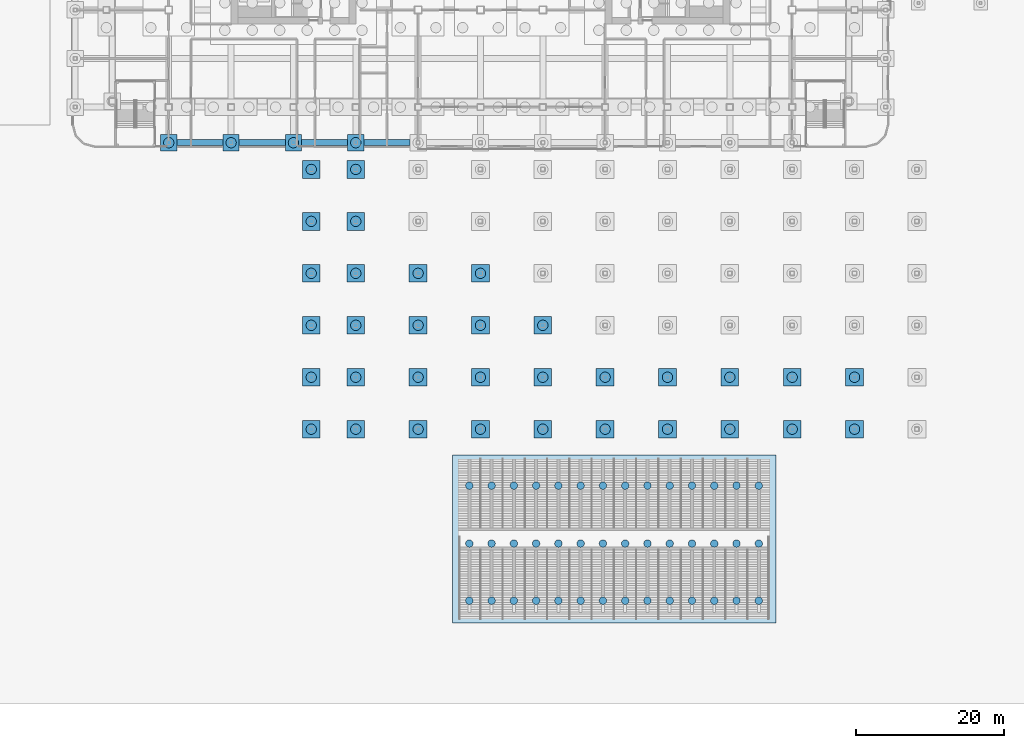
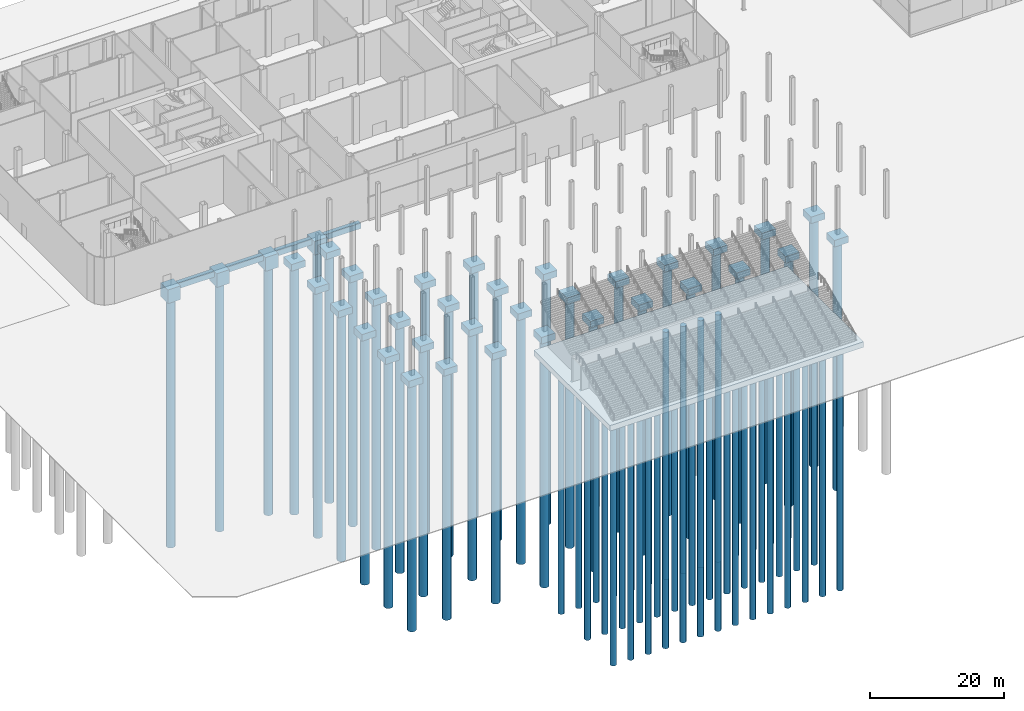
# One storey, part 1 of 113: 79 piles, 42 footings.
"""IFC4 building model written with IfcOpenShell, lengths in metres."""

from ifc_helpers import new_model, si_unit, direction, frame, origin, origin_2d, place, context, subcontext, project, spatial, polyline, circle, outline, extrude, material, layer, layer_set, material_profile, profile_set, type_object, element, save


model = new_model("IFC4")

# Units and contexts
model_context = context("Model", 3, precision=1e-05, world=origin(), true_north=direction((0.0, 1.0)))
body_context = subcontext(model_context, "Body", "Model", "MODEL_VIEW")
ifc_project = project(units=[si_unit("LENGTHUNIT", "METRE"), si_unit("AREAUNIT", "SQUARE_METRE"), si_unit("VOLUMEUNIT", "CUBIC_METRE"), si_unit("PLANEANGLEUNIT", "RADIAN"), si_unit("MASSUNIT", "GRAM", prefix="KILO")], contexts=[model_context])

# Site, building, storey
site_placement = place(None, origin())
site = spatial("IfcSite", under=ifc_project, at=site_placement, CompositionType="ELEMENT")
building_placement = place(site_placement, origin())
building = spatial("IfcBuilding", under=site, at=building_placement, Name="Hakoniwa Tower and Hamabe Station Hall", CompositionType="ELEMENT")
storey_placement = place(building_placement, origin())
storey = spatial("IfcBuildingStorey", under=building, at=storey_placement, Name="L01", CompositionType="ELEMENT", Elevation=0.0)

# Piles
ifc_material_1 = material(Name="Concrete C36", Category="concrete")
ifc_material_profile_1 = material_profile(ifc_material_1, circle(Radius=0.699951171875, at=origin_2d()), Name="BORED PILE D1400")
ifc_profile_set_1 = profile_set([ifc_material_profile_1], Name="Concrete C36")
pile_type_1 = type_object("IfcPileType", Name="BORED PILE D1400", PredefinedType="BORED", material=ifc_profile_set_1)
for number, where, z_axis, x_axis, name in (
    (1, (-42.0, -24.39990234375, -2.800048828125), (0.0, 0.0, -1.0), (1.0, 0.0, 0.0), "Pile P-2-RS 1"),
    (2, (-33.60009765625, -24.39990234375, -2.800048828125), (0.0, 0.0, -1.0), (1.0, 0.0, 0.0), "Pile P-3-RS 1"),
    (3, (-25.199951171875, -24.39990234375, -2.800048828125), (0.0, 0.0, -1.0), (1.0, 0.0, 0.0), "Pile P-4-RS 1"),
    (4, (-16.800048828125, -24.39990234375, -2.800048828125), (0.0, 0.0, -1.0), (1.0, 0.0, 0.0), "Pile P-5-RS 1"),
):
    element("IfcPile", number, at=place(storey_placement, frame(where, z_axis=z_axis, x_axis=x_axis)), inside=storey, type_object=pile_type_1, Name=name, PredefinedType="BORED", context=body_context, shape_type="SweptSolid", body=[
        extrude(circle(Radius=0.699951171875, at=origin_2d()), origin(), (0.0, 0.0, 1.0), 45.0),
    ])
ifc_material_2 = material(Name="Concrete C36", Category="concrete")
ifc_material_profile_2 = material_profile(ifc_material_2, circle(Radius=0.699951171875, at=origin_2d()), Name="DECK BORED PILE D1400")
ifc_profile_set_2 = profile_set([ifc_material_profile_2], Name="Concrete C36")
pile_type_2 = type_object("IfcPileType", Name="DECK BORED PILE D1400", PredefinedType="BORED", material=ifc_profile_set_2)
for number, where, z_axis, x_axis, name in (
    (5, (-22.800048828125, -63.0, -1.35009765625), (0.0, 0.0, -1.0), (1.0, 0.0, 0.0), "Pile 01"),
    (6, (-22.800048828125, -56.0, -1.35009765625), (0.0, 0.0, -1.0), (1.0, 0.0, 0.0), "Pile 02"),
    (7, (-22.800048828125, -49.0, -1.35009765625), (0.0, 0.0, -1.0), (1.0, 0.0, 0.0), "Pile 03"),
    (8, (-22.800048828125, -42.0, -1.35009765625), (0.0, 0.0, -1.0), (1.0, 0.0, 0.0), "Pile 04"),
    (9, (-22.800048828125, -35.0, -1.35009765625), (0.0, 0.0, -1.0), (1.0, 0.0, 0.0), "Pile 05"),
    (10, (-22.800048828125, -28.0, -1.35009765625), (0.0, 0.0, -1.0), (1.0, 0.0, 0.0), "Pile 06"),
    (11, (-16.800048828125, -63.0, -1.35009765625), (0.0, 0.0, -1.0), (1.0, 0.0, 0.0), "Pile 07"),
    (12, (-16.800048828125, -56.0, -1.35009765625), (0.0, 0.0, -1.0), (1.0, 0.0, 0.0), "Pile 08"),
    (13, (-16.800048828125, -49.0, -1.35009765625), (0.0, 0.0, -1.0), (1.0, 0.0, 0.0), "Pile 09"),
    (14, (-16.800048828125, -42.0, -1.35009765625), (0.0, 0.0, -1.0), (1.0, 0.0, 0.0), "Pile 10"),
    (15, (-16.800048828125, -35.0, -1.35009765625), (0.0, 0.0, -1.0), (1.0, 0.0, 0.0), "Pile 11"),
    (16, (-16.800048828125, -28.0, -1.35009765625), (0.0, 0.0, -1.0), (1.0, 0.0, 0.0), "Pile 12"),
    (17, (-8.39990234375, -63.0, -1.35009765625), (0.0, 0.0, -1.0), (1.0, 0.0, 0.0), "Pile 13"),
    (18, (-8.39990234375, -56.0, -1.35009765625), (0.0, 0.0, -1.0), (1.0, 0.0, 0.0), "Pile 14"),
    (19, (-8.39990234375, -49.0, -1.35009765625), (0.0, 0.0, -1.0), (1.0, 0.0, 0.0), "Pile 15"),
    (20, (-8.39990234375, -42.0, -1.35009765625), (0.0, 0.0, -1.0), (1.0, 0.0, 0.0), "Pile 16"),
    (21, (0.0, -63.0, -1.35009765625), (0.0, 0.0, -1.0), (1.0, 0.0, 0.0), "Pile 19"),
    (22, (0.0, -56.0, -1.35009765625), (0.0, 0.0, -1.0), (1.0, 0.0, 0.0), "Pile 20"),
    (23, (0.0, -49.0, -1.35009765625), (0.0, 0.0, -1.0), (1.0, 0.0, 0.0), "Pile 21"),
    (24, (0.0, -42.0, -1.35009765625), (0.0, 0.0, -1.0), (1.0, 0.0, 0.0), "Pile 22"),
    (25, (8.39990234375, -63.0, -1.35009765625), (0.0, 0.0, -1.0), (1.0, 0.0, 0.0), "Pile 25"),
    (26, (8.39990234375, -56.0, -1.35009765625), (0.0, 0.0, -1.0), (1.0, 0.0, 0.0), "Pile 26"),
    (27, (8.39990234375, -49.0, -1.35009765625), (0.0, 0.0, -1.0), (1.0, 0.0, 0.0), "Pile 27"),
    (28, (16.800048828125, -63.0, -1.35009765625), (0.0, 0.0, -1.0), (1.0, 0.0, 0.0), "Pile 31"),
    (29, (16.800048828125, -56.0, -1.35009765625), (0.0, 0.0, -1.0), (1.0, 0.0, 0.0), "Pile 32"),
    (30, (25.199951171875, -63.0, -1.35009765625), (0.0, 0.0, -1.0), (1.0, 0.0, 0.0), "Pile 37"),
    (31, (25.199951171875, -56.0, -1.35009765625), (0.0, 0.0, -1.0), (1.0, 0.0, 0.0), "Pile 38"),
    (32, (33.60009765625, -63.0, -1.35009765625), (0.0, 0.0, -1.0), (1.0, 0.0, 0.0), "Pile 43"),
    (33, (33.60009765625, -56.0, -1.35009765625), (0.0, 0.0, -1.0), (1.0, 0.0, 0.0), "Pile 44"),
    (34, (42.0, -63.0, -1.35009765625), (0.0, 0.0, -1.0), (1.0, 0.0, 0.0), "Pile 49"),
    (35, (42.0, -56.0, -1.35009765625), (0.0, 0.0, -1.0), (1.0, 0.0, 0.0), "Pile 50"),
    (36, (50.39990234375, -63.0, -1.35009765625), (0.0, 0.0, -1.0), (1.0, 0.0, 0.0), "Pile 55"),
    (37, (50.39990234375, -56.0, -1.35009765625), (0.0, 0.0, -1.0), (1.0, 0.0, 0.0), "Pile 56"),
):
    element("IfcPile", number, at=place(storey_placement, frame(where, z_axis=z_axis, x_axis=x_axis)), inside=storey, type_object=pile_type_2, Name=name, PredefinedType="BORED", context=body_context, shape_type="SweptSolid", body=[
        extrude(circle(Radius=0.699951171875, at=origin_2d()), origin(), (0.0, 0.0, 1.0), 45.0),
    ])

# Footings
ifc_material_3 = material(Name="Concrete C36", Category="concrete")
ifc_layer_1 = layer(ifc_material_3, 1.199951171875)
ifc_layer_set_1 = layer_set([ifc_layer_1], Name="DECK PILE CAP 2400X2400X1200")
footing_type_1 = type_object("IfcFootingType", Name="DECK PILE CAP 2400X2400X1200", PredefinedType="PILE_CAP", material=ifc_layer_set_1)
footing_1_placement = place(storey_placement, frame((0.0, 0.0, -1.35009765625)))
element("IfcFooting", 38, at=footing_1_placement, inside=storey, type_object=footing_type_1, Name="Pile cap 01", PredefinedType="PILE_CAP", context=body_context, shape_type="SweptSolid", body=[
    extrude(outline(polyline([(-24.0, -64.199951171875), (-21.60009765625, -64.199951171875), (-21.60009765625, -61.800048828125), (-24.0, -61.800048828125), (-24.0, -64.199951171875)])), origin(), (0.0, 0.0, 1.0), 1.2001953125),
])
footing_2_placement = place(storey_placement, frame((0.0, 0.0, -1.35009765625)))
element("IfcFooting", 39, at=footing_2_placement, inside=storey, type_object=footing_type_1, Name="Pile cap 02", PredefinedType="PILE_CAP", context=body_context, shape_type="SweptSolid", body=[
    extrude(outline(polyline([(-24.0, -57.199951171875), (-21.60009765625, -57.199951171875), (-21.60009765625, -54.800048828125), (-24.0, -54.800048828125), (-24.0, -57.199951171875)])), origin(), (0.0, 0.0, 1.0), 1.2001953125),
])
footing_3_placement = place(storey_placement, frame((0.0, 0.0, -1.35009765625)))
element("IfcFooting", 40, at=footing_3_placement, inside=storey, type_object=footing_type_1, Name="Pile cap 03", PredefinedType="PILE_CAP", context=body_context, shape_type="SweptSolid", body=[
    extrude(outline(polyline([(-24.0, -50.199951171875), (-21.60009765625, -50.199951171875), (-21.60009765625, -47.800048828125), (-24.0, -47.800048828125), (-24.0, -50.199951171875)])), origin(), (0.0, 0.0, 1.0), 1.2001953125),
])
footing_4_placement = place(storey_placement, frame((0.0, 0.0, -1.35009765625)))
element("IfcFooting", 41, at=footing_4_placement, inside=storey, type_object=footing_type_1, Name="Pile cap 04", PredefinedType="PILE_CAP", context=body_context, shape_type="SweptSolid", body=[
    extrude(outline(polyline([(-24.0, -43.199951171875), (-21.60009765625, -43.199951171875), (-21.60009765625, -40.800048828125), (-24.0, -40.800048828125), (-24.0, -43.199951171875)])), origin(), (0.0, 0.0, 1.0), 1.2001953125),
])
footing_5_placement = place(storey_placement, frame((0.0, 0.0, -1.35009765625)))
element("IfcFooting", 42, at=footing_5_placement, inside=storey, type_object=footing_type_1, Name="Pile cap 05", PredefinedType="PILE_CAP", context=body_context, shape_type="SweptSolid", body=[
    extrude(outline(polyline([(-24.0, -36.199951171875), (-21.60009765625, -36.199951171875), (-21.60009765625, -33.800048828125), (-24.0, -33.800048828125), (-24.0, -36.199951171875)])), origin(), (0.0, 0.0, 1.0), 1.2001953125),
])
footing_6_placement = place(storey_placement, frame((0.0, 0.0, -1.35009765625)))
element("IfcFooting", 43, at=footing_6_placement, inside=storey, type_object=footing_type_1, Name="Pile cap 06", PredefinedType="PILE_CAP", context=body_context, shape_type="SweptSolid", body=[
    extrude(outline(polyline([(-24.0, -29.199951171875), (-21.60009765625, -29.199951171875), (-21.60009765625, -26.800048828125), (-24.0, -26.800048828125), (-24.0, -29.199951171875)])), origin(), (0.0, 0.0, 1.0), 1.2001953125),
])
footing_7_placement = place(storey_placement, frame((0.0, 0.0, -1.35009765625)))
element("IfcFooting", 44, at=footing_7_placement, inside=storey, type_object=footing_type_1, Name="Pile cap 07", PredefinedType="PILE_CAP", context=body_context, shape_type="SweptSolid", body=[
    extrude(outline(polyline([(-18.0, -64.199951171875), (-15.60009765625, -64.199951171875), (-15.60009765625, -61.800048828125), (-18.0, -61.800048828125), (-18.0, -64.199951171875)])), origin(), (0.0, 0.0, 1.0), 1.2001953125),
])
footing_8_placement = place(storey_placement, frame((0.0, 0.0, -1.35009765625)))
element("IfcFooting", 45, at=footing_8_placement, inside=storey, type_object=footing_type_1, Name="Pile cap 08", PredefinedType="PILE_CAP", context=body_context, shape_type="SweptSolid", body=[
    extrude(outline(polyline([(-18.0, -57.199951171875), (-15.60009765625, -57.199951171875), (-15.60009765625, -54.800048828125), (-18.0, -54.800048828125), (-18.0, -57.199951171875)])), origin(), (0.0, 0.0, 1.0), 1.2001953125),
])
footing_9_placement = place(storey_placement, frame((0.0, 0.0, -1.35009765625)))
element("IfcFooting", 46, at=footing_9_placement, inside=storey, type_object=footing_type_1, Name="Pile cap 09", PredefinedType="PILE_CAP", context=body_context, shape_type="SweptSolid", body=[
    extrude(outline(polyline([(-18.0, -50.199951171875), (-15.60009765625, -50.199951171875), (-15.60009765625, -47.800048828125), (-18.0, -47.800048828125), (-18.0, -50.199951171875)])), origin(), (0.0, 0.0, 1.0), 1.2001953125),
])
footing_10_placement = place(storey_placement, frame((0.0, 0.0, -1.35009765625)))
element("IfcFooting", 47, at=footing_10_placement, inside=storey, type_object=footing_type_1, Name="Pile cap 10", PredefinedType="PILE_CAP", context=body_context, shape_type="SweptSolid", body=[
    extrude(outline(polyline([(-18.0, -43.199951171875), (-15.60009765625, -43.199951171875), (-15.60009765625, -40.800048828125), (-18.0, -40.800048828125), (-18.0, -43.199951171875)])), origin(), (0.0, 0.0, 1.0), 1.2001953125),
])
footing_11_placement = place(storey_placement, frame((0.0, 0.0, -1.35009765625)))
element("IfcFooting", 48, at=footing_11_placement, inside=storey, type_object=footing_type_1, Name="Pile cap 11", PredefinedType="PILE_CAP", context=body_context, shape_type="SweptSolid", body=[
    extrude(outline(polyline([(-18.0, -36.199951171875), (-15.60009765625, -36.199951171875), (-15.60009765625, -33.800048828125), (-18.0, -33.800048828125), (-18.0, -36.199951171875)])), origin(), (0.0, 0.0, 1.0), 1.2001953125),
])
footing_12_placement = place(storey_placement, frame((0.0, 0.0, -1.35009765625)))
element("IfcFooting", 49, at=footing_12_placement, inside=storey, type_object=footing_type_1, Name="Pile cap 12", PredefinedType="PILE_CAP", context=body_context, shape_type="SweptSolid", body=[
    extrude(outline(polyline([(-18.0, -29.199951171875), (-15.60009765625, -29.199951171875), (-15.60009765625, -26.800048828125), (-18.0, -26.800048828125), (-18.0, -29.199951171875)])), origin(), (0.0, 0.0, 1.0), 1.2001953125),
])
footing_13_placement = place(storey_placement, frame((0.0, 0.0, -1.35009765625)))
element("IfcFooting", 50, at=footing_13_placement, inside=storey, type_object=footing_type_1, Name="Pile cap 13", PredefinedType="PILE_CAP", context=body_context, shape_type="SweptSolid", body=[
    extrude(outline(polyline([(-9.60009765625, -64.199951171875), (-7.199951171875, -64.199951171875), (-7.199951171875, -61.800048828125), (-9.60009765625, -61.800048828125), (-9.60009765625, -64.199951171875)])), origin(), (0.0, 0.0, 1.0), 1.2001953125),
])
footing_14_placement = place(storey_placement, frame((0.0, 0.0, -1.35009765625)))
element("IfcFooting", 51, at=footing_14_placement, inside=storey, type_object=footing_type_1, Name="Pile cap 14", PredefinedType="PILE_CAP", context=body_context, shape_type="SweptSolid", body=[
    extrude(outline(polyline([(-9.60009765625, -57.199951171875), (-7.199951171875, -57.199951171875), (-7.199951171875, -54.800048828125), (-9.60009765625, -54.800048828125), (-9.60009765625, -57.199951171875)])), origin(), (0.0, 0.0, 1.0), 1.2001953125),
])
footing_15_placement = place(storey_placement, frame((0.0, 0.0, -1.35009765625)))
element("IfcFooting", 52, at=footing_15_placement, inside=storey, type_object=footing_type_1, Name="Pile cap 15", PredefinedType="PILE_CAP", context=body_context, shape_type="SweptSolid", body=[
    extrude(outline(polyline([(-9.60009765625, -50.199951171875), (-7.199951171875, -50.199951171875), (-7.199951171875, -47.800048828125), (-9.60009765625, -47.800048828125), (-9.60009765625, -50.199951171875)])), origin(), (0.0, 0.0, 1.0), 1.2001953125),
])
footing_16_placement = place(storey_placement, frame((0.0, 0.0, -1.35009765625)))
element("IfcFooting", 53, at=footing_16_placement, inside=storey, type_object=footing_type_1, Name="Pile cap 16", PredefinedType="PILE_CAP", context=body_context, shape_type="SweptSolid", body=[
    extrude(outline(polyline([(-9.60009765625, -43.199951171875), (-7.199951171875, -43.199951171875), (-7.199951171875, -40.800048828125), (-9.60009765625, -40.800048828125), (-9.60009765625, -43.199951171875)])), origin(), (0.0, 0.0, 1.0), 1.2001953125),
])
footing_17_placement = place(storey_placement, frame((0.0, 0.0, -1.35009765625)))
element("IfcFooting", 54, at=footing_17_placement, inside=storey, type_object=footing_type_1, Name="Pile cap 19", PredefinedType="PILE_CAP", context=body_context, shape_type="SweptSolid", body=[
    extrude(outline(polyline([(-1.199951171875, -64.199951171875), (1.199951171875, -64.199951171875), (1.199951171875, -61.800048828125), (-1.199951171875, -61.800048828125), (-1.199951171875, -64.199951171875)])), origin(), (0.0, 0.0, 1.0), 1.2001953125),
])
footing_18_placement = place(storey_placement, frame((0.0, 0.0, -1.35009765625)))
element("IfcFooting", 55, at=footing_18_placement, inside=storey, type_object=footing_type_1, Name="Pile cap 20", PredefinedType="PILE_CAP", context=body_context, shape_type="SweptSolid", body=[
    extrude(outline(polyline([(-1.199951171875, -57.199951171875), (1.199951171875, -57.199951171875), (1.199951171875, -54.800048828125), (-1.199951171875, -54.800048828125), (-1.199951171875, -57.199951171875)])), origin(), (0.0, 0.0, 1.0), 1.2001953125),
])
footing_19_placement = place(storey_placement, frame((0.0, 0.0, -1.35009765625)))
element("IfcFooting", 56, at=footing_19_placement, inside=storey, type_object=footing_type_1, Name="Pile cap 21", PredefinedType="PILE_CAP", context=body_context, shape_type="SweptSolid", body=[
    extrude(outline(polyline([(-1.199951171875, -50.199951171875), (1.199951171875, -50.199951171875), (1.199951171875, -47.800048828125), (-1.199951171875, -47.800048828125), (-1.199951171875, -50.199951171875)])), origin(), (0.0, 0.0, 1.0), 1.2001953125),
])
footing_20_placement = place(storey_placement, frame((0.0, 0.0, -1.35009765625)))
element("IfcFooting", 57, at=footing_20_placement, inside=storey, type_object=footing_type_1, Name="Pile cap 22", PredefinedType="PILE_CAP", context=body_context, shape_type="SweptSolid", body=[
    extrude(outline(polyline([(-1.199951171875, -43.199951171875), (1.199951171875, -43.199951171875), (1.199951171875, -40.800048828125), (-1.199951171875, -40.800048828125), (-1.199951171875, -43.199951171875)])), origin(), (0.0, 0.0, 1.0), 1.2001953125),
])
footing_21_placement = place(storey_placement, frame((0.0, 0.0, -1.35009765625)))
element("IfcFooting", 58, at=footing_21_placement, inside=storey, type_object=footing_type_1, Name="Pile cap 25", PredefinedType="PILE_CAP", context=body_context, shape_type="SweptSolid", body=[
    extrude(outline(polyline([(7.199951171875, -64.199951171875), (9.60009765625, -64.199951171875), (9.60009765625, -61.800048828125), (7.199951171875, -61.800048828125), (7.199951171875, -64.199951171875)])), origin(), (0.0, 0.0, 1.0), 1.2001953125),
])
footing_22_placement = place(storey_placement, frame((0.0, 0.0, -1.35009765625)))
element("IfcFooting", 59, at=footing_22_placement, inside=storey, type_object=footing_type_1, Name="Pile cap 26", PredefinedType="PILE_CAP", context=body_context, shape_type="SweptSolid", body=[
    extrude(outline(polyline([(7.199951171875, -57.199951171875), (9.60009765625, -57.199951171875), (9.60009765625, -54.800048828125), (7.199951171875, -54.800048828125), (7.199951171875, -57.199951171875)])), origin(), (0.0, 0.0, 1.0), 1.2001953125),
])
footing_23_placement = place(storey_placement, frame((0.0, 0.0, -1.35009765625)))
element("IfcFooting", 60, at=footing_23_placement, inside=storey, type_object=footing_type_1, Name="Pile cap 27", PredefinedType="PILE_CAP", context=body_context, shape_type="SweptSolid", body=[
    extrude(outline(polyline([(7.199951171875, -50.199951171875), (9.60009765625, -50.199951171875), (9.60009765625, -47.800048828125), (7.199951171875, -47.800048828125), (7.199951171875, -50.199951171875)])), origin(), (0.0, 0.0, 1.0), 1.2001953125),
])
footing_24_placement = place(storey_placement, frame((0.0, 0.0, -1.35009765625)))
element("IfcFooting", 61, at=footing_24_placement, inside=storey, type_object=footing_type_1, Name="Pile cap 31", PredefinedType="PILE_CAP", context=body_context, shape_type="SweptSolid", body=[
    extrude(outline(polyline([(15.60009765625, -64.199951171875), (18.0, -64.199951171875), (18.0, -61.800048828125), (15.60009765625, -61.800048828125), (15.60009765625, -64.199951171875)])), origin(), (0.0, 0.0, 1.0), 1.2001953125),
])
footing_25_placement = place(storey_placement, frame((0.0, 0.0, -1.35009765625)))
element("IfcFooting", 62, at=footing_25_placement, inside=storey, type_object=footing_type_1, Name="Pile cap 32", PredefinedType="PILE_CAP", context=body_context, shape_type="SweptSolid", body=[
    extrude(outline(polyline([(15.60009765625, -57.199951171875), (18.0, -57.199951171875), (18.0, -54.800048828125), (15.60009765625, -54.800048828125), (15.60009765625, -57.199951171875)])), origin(), (0.0, 0.0, 1.0), 1.2001953125),
])
footing_26_placement = place(storey_placement, frame((0.0, 0.0, -1.35009765625)))
element("IfcFooting", 63, at=footing_26_placement, inside=storey, type_object=footing_type_1, Name="Pile cap 37", PredefinedType="PILE_CAP", context=body_context, shape_type="SweptSolid", body=[
    extrude(outline(polyline([(24.0, -64.199951171875), (26.39990234375, -64.199951171875), (26.39990234375, -61.800048828125), (24.0, -61.800048828125), (24.0, -64.199951171875)])), origin(), (0.0, 0.0, 1.0), 1.2001953125),
])
footing_27_placement = place(storey_placement, frame((0.0, 0.0, -1.35009765625)))
element("IfcFooting", 64, at=footing_27_placement, inside=storey, type_object=footing_type_1, Name="Pile cap 38", PredefinedType="PILE_CAP", context=body_context, shape_type="SweptSolid", body=[
    extrude(outline(polyline([(24.0, -57.199951171875), (26.39990234375, -57.199951171875), (26.39990234375, -54.800048828125), (24.0, -54.800048828125), (24.0, -57.199951171875)])), origin(), (0.0, 0.0, 1.0), 1.2001953125),
])
footing_28_placement = place(storey_placement, frame((0.0, 0.0, -1.35009765625)))
element("IfcFooting", 65, at=footing_28_placement, inside=storey, type_object=footing_type_1, Name="Pile cap 43", PredefinedType="PILE_CAP", context=body_context, shape_type="SweptSolid", body=[
    extrude(outline(polyline([(32.39990234375, -64.199951171875), (34.800048828125, -64.199951171875), (34.800048828125, -61.800048828125), (32.39990234375, -61.800048828125), (32.39990234375, -64.199951171875)])), origin(), (0.0, 0.0, 1.0), 1.2001953125),
])
footing_29_placement = place(storey_placement, frame((0.0, 0.0, -1.35009765625)))
element("IfcFooting", 66, at=footing_29_placement, inside=storey, type_object=footing_type_1, Name="Pile cap 44", PredefinedType="PILE_CAP", context=body_context, shape_type="SweptSolid", body=[
    extrude(outline(polyline([(32.39990234375, -57.199951171875), (34.800048828125, -57.199951171875), (34.800048828125, -54.800048828125), (32.39990234375, -54.800048828125), (32.39990234375, -57.199951171875)])), origin(), (0.0, 0.0, 1.0), 1.2001953125),
])
footing_30_placement = place(storey_placement, frame((0.0, 0.0, -1.35009765625)))
element("IfcFooting", 67, at=footing_30_placement, inside=storey, type_object=footing_type_1, Name="Pile cap 49", PredefinedType="PILE_CAP", context=body_context, shape_type="SweptSolid", body=[
    extrude(outline(polyline([(40.800048828125, -64.199951171875), (43.199951171875, -64.199951171875), (43.199951171875, -61.800048828125), (40.800048828125, -61.800048828125), (40.800048828125, -64.199951171875)])), origin(), (0.0, 0.0, 1.0), 1.2001953125),
])
footing_31_placement = place(storey_placement, frame((0.0, 0.0, -1.35009765625)))
element("IfcFooting", 68, at=footing_31_placement, inside=storey, type_object=footing_type_1, Name="Pile cap 50", PredefinedType="PILE_CAP", context=body_context, shape_type="SweptSolid", body=[
    extrude(outline(polyline([(40.800048828125, -57.199951171875), (43.199951171875, -57.199951171875), (43.199951171875, -54.800048828125), (40.800048828125, -54.800048828125), (40.800048828125, -57.199951171875)])), origin(), (0.0, 0.0, 1.0), 1.2001953125),
])
footing_32_placement = place(storey_placement, frame((0.0, 0.0, -1.35009765625)))
element("IfcFooting", 69, at=footing_32_placement, inside=storey, type_object=footing_type_1, Name="Pile cap 55", PredefinedType="PILE_CAP", context=body_context, shape_type="SweptSolid", body=[
    extrude(outline(polyline([(49.199951171875, -64.199951171875), (51.60009765625, -64.199951171875), (51.60009765625, -61.800048828125), (49.199951171875, -61.800048828125), (49.199951171875, -64.199951171875)])), origin(), (0.0, 0.0, 1.0), 1.2001953125),
])
footing_33_placement = place(storey_placement, frame((0.0, 0.0, -1.35009765625)))
element("IfcFooting", 70, at=footing_33_placement, inside=storey, type_object=footing_type_1, Name="Pile cap 56", PredefinedType="PILE_CAP", context=body_context, shape_type="SweptSolid", body=[
    extrude(outline(polyline([(49.199951171875, -57.199951171875), (51.60009765625, -57.199951171875), (51.60009765625, -54.800048828125), (49.199951171875, -54.800048828125), (49.199951171875, -57.199951171875)])), origin(), (0.0, 0.0, 1.0), 1.2001953125),
])
ifc_material_4 = material(Name="Concrete C36", Category="concrete")
ifc_layer_2 = layer(ifc_material_4, 1.0)
ifc_layer_set_2 = layer_set([ifc_layer_2], Name="GROUND TIE BEAM")
footing_type_2 = type_object("IfcFootingType", Name="GROUND TIE BEAM", PredefinedType="FOOTING_BEAM", material=ifc_layer_set_2)
footing_34_placement = place(storey_placement, frame((0.0, 0.0, -1.300048828125)))
element("IfcFooting", 71, at=footing_34_placement, inside=storey, type_object=footing_type_2, Name="Ground tie P-2-RS to P-3-RS", PredefinedType="FOOTING_BEAM", context=body_context, shape_type="SweptSolid", body=[
    extrude(outline(polyline([(-40.89990234375, -24.0), (-40.89990234375, -24.800048828125), (-34.699951171875, -24.800048828125), (-34.699951171875, -24.0), (-40.89990234375, -24.0)])), origin(), (0.0, 0.0, 1.0), 1.0),
])
footing_35_placement = place(storey_placement, frame((0.0, 0.0, -1.300048828125)))
element("IfcFooting", 72, at=footing_35_placement, inside=storey, type_object=footing_type_2, Name="Ground tie P-3-RS to P-4-RS", PredefinedType="FOOTING_BEAM", context=body_context, shape_type="SweptSolid", body=[
    extrude(outline(polyline([(-32.5, -24.0), (-32.5, -24.800048828125), (-26.300048828125, -24.800048828125), (-26.300048828125, -24.0), (-32.5, -24.0)])), origin(), (0.0, 0.0, 1.0), 1.0),
])
footing_36_placement = place(storey_placement, frame((0.0, 0.0, -1.300048828125)))
element("IfcFooting", 73, at=footing_36_placement, inside=storey, type_object=footing_type_2, Name="Ground tie P-4-RS to P-5-RS", PredefinedType="FOOTING_BEAM", context=body_context, shape_type="SweptSolid", body=[
    extrude(outline(polyline([(-24.10009765625, -24.0), (-24.10009765625, -24.800048828125), (-17.89990234375, -24.800048828125), (-17.89990234375, -24.0), (-24.10009765625, -24.0)])), origin(), (0.0, 0.0, 1.0), 1.0),
])
footing_37_placement = place(storey_placement, frame((0.0, 0.0, -1.300048828125)))
element("IfcFooting", 74, at=footing_37_placement, inside=storey, type_object=footing_type_2, Name="Ground tie P-5-RS to P-6-RS", PredefinedType="FOOTING_BEAM", context=body_context, shape_type="SweptSolid", body=[
    extrude(outline(polyline([(-15.699951171875, -24.0), (-15.699951171875, -24.800048828125), (-9.5, -24.800048828125), (-9.5, -24.0), (-15.699951171875, -24.0)])), origin(), (0.0, 0.0, 1.0), 1.0),
])
ifc_material_5 = material(Name="Concrete C36", Category="concrete")
ifc_layer_3 = layer(ifc_material_5, 2.5)
ifc_layer_set_3 = layer_set([ifc_layer_3], Name="PILE CAP 1 PILE")
footing_type_3 = type_object("IfcFootingType", Name="PILE CAP 1 PILE", PredefinedType="PILE_CAP", material=ifc_layer_set_3)
footing_38_placement = place(storey_placement, frame((0.0, 0.0, -2.800048828125)))
element("IfcFooting", 75, at=footing_38_placement, inside=storey, type_object=footing_type_3, Name="Pile cap P-2-RS", PredefinedType="PILE_CAP", context=body_context, shape_type="SweptSolid", body=[
    extrude(outline(polyline([(-40.89990234375, -25.5), (-40.89990234375, -23.300048828125), (-43.10009765625, -23.300048828125), (-43.10009765625, -25.5), (-40.89990234375, -25.5)])), origin(), (0.0, 0.0, 1.0), 2.5),
])
footing_39_placement = place(storey_placement, frame((0.0, 0.0, -2.800048828125)))
element("IfcFooting", 76, at=footing_39_placement, inside=storey, type_object=footing_type_3, Name="Pile cap P-3-RS", PredefinedType="PILE_CAP", context=body_context, shape_type="SweptSolid", body=[
    extrude(outline(polyline([(-32.5, -25.5), (-32.5, -23.300048828125), (-34.699951171875, -23.300048828125), (-34.699951171875, -25.5), (-32.5, -25.5)])), origin(), (0.0, 0.0, 1.0), 2.5),
])
footing_40_placement = place(storey_placement, frame((0.0, 0.0, -2.800048828125)))
element("IfcFooting", 77, at=footing_40_placement, inside=storey, type_object=footing_type_3, Name="Pile cap P-4-RS", PredefinedType="PILE_CAP", context=body_context, shape_type="SweptSolid", body=[
    extrude(outline(polyline([(-24.10009765625, -25.5), (-24.10009765625, -23.300048828125), (-26.300048828125, -23.300048828125), (-26.300048828125, -25.5), (-24.10009765625, -25.5)])), origin(), (0.0, 0.0, 1.0), 2.5),
])
footing_41_placement = place(storey_placement, frame((0.0, 0.0, -2.800048828125)))
element("IfcFooting", 78, at=footing_41_placement, inside=storey, type_object=footing_type_3, Name="Pile cap P-5-RS", PredefinedType="PILE_CAP", context=body_context, shape_type="SweptSolid", body=[
    extrude(outline(polyline([(-15.699951171875, -25.5), (-15.699951171875, -23.300048828125), (-17.89990234375, -23.300048828125), (-17.89990234375, -25.5), (-15.699951171875, -25.5)])), origin(), (0.0, 0.0, 1.0), 2.5),
])

# Piles
ifc_material_6 = material(Name="Concrete C36", Category="concrete")
ifc_material_profile_3 = material_profile(ifc_material_6, circle(Radius=0.5, at=origin_2d()), Name="STREET STAIR BORED PILE D1000")
ifc_profile_set_3 = profile_set([ifc_material_profile_3], Name="Concrete C36")
pile_type_3 = type_object("IfcPileType", Name="STREET STAIR BORED PILE D1000", PredefinedType="BORED", material=ifc_profile_set_3)
for number, where, z_axis, x_axis, name in (
    (79, (-1.5, -86.110107421875, -1.14990234375), (0.0, 0.0, -1.0), (1.0, 0.0, 0.0), "Stair pile 1-1"),
    (80, (1.5, -86.110107421875, -1.14990234375), (0.0, 0.0, -1.0), (1.0, 0.0, 0.0), "Stair pile 1-2"),
    (81, (4.5, -86.110107421875, -1.14990234375), (0.0, 0.0, -1.0), (1.0, 0.0, 0.0), "Stair pile 1-3"),
    (82, (7.5, -86.110107421875, -1.14990234375), (0.0, 0.0, -1.0), (1.0, 0.0, 0.0), "Stair pile 1-4"),
    (83, (10.5, -86.110107421875, -1.14990234375), (0.0, 0.0, -1.0), (1.0, 0.0, 0.0), "Stair pile 1-5"),
    (84, (13.5, -86.110107421875, -1.14990234375), (0.0, 0.0, -1.0), (1.0, 0.0, 0.0), "Stair pile 1-6"),
    (85, (16.5, -86.110107421875, -1.14990234375), (0.0, 0.0, -1.0), (1.0, 0.0, 0.0), "Stair pile 1-7"),
    (86, (19.5, -86.110107421875, -1.14990234375), (0.0, 0.0, -1.0), (1.0, 0.0, 0.0), "Stair pile 1-8"),
    (87, (22.5, -86.110107421875, -1.14990234375), (0.0, 0.0, -1.0), (1.0, 0.0, 0.0), "Stair pile 1-9"),
    (88, (25.5, -86.110107421875, -1.14990234375), (0.0, 0.0, -1.0), (1.0, 0.0, 0.0), "Stair pile 1-10"),
    (89, (28.5, -86.110107421875, -1.14990234375), (0.0, 0.0, -1.0), (1.0, 0.0, 0.0), "Stair pile 1-11"),
    (90, (31.5, -86.110107421875, -1.14990234375), (0.0, 0.0, -1.0), (1.0, 0.0, 0.0), "Stair pile 1-12"),
    (91, (34.5, -86.110107421875, -1.14990234375), (0.0, 0.0, -1.0), (1.0, 0.0, 0.0), "Stair pile 1-13"),
    (92, (37.5, -86.110107421875, -1.14990234375), (0.0, 0.0, -1.0), (1.0, 0.0, 0.0), "Stair pile 1-14"),
    (93, (-1.5, -78.409912109375, -1.14990234375), (0.0, 0.0, -1.0), (1.0, 0.0, 0.0), "Stair pile 2-1"),
    (94, (1.5, -78.409912109375, -1.14990234375), (0.0, 0.0, -1.0), (1.0, 0.0, 0.0), "Stair pile 2-2"),
    (95, (4.5, -78.409912109375, -1.14990234375), (0.0, 0.0, -1.0), (1.0, 0.0, 0.0), "Stair pile 2-3"),
    (96, (7.5, -78.409912109375, -1.14990234375), (0.0, 0.0, -1.0), (1.0, 0.0, 0.0), "Stair pile 2-4"),
    (97, (10.5, -78.409912109375, -1.14990234375), (0.0, 0.0, -1.0), (1.0, 0.0, 0.0), "Stair pile 2-5"),
    (98, (13.5, -78.409912109375, -1.14990234375), (0.0, 0.0, -1.0), (1.0, 0.0, 0.0), "Stair pile 2-6"),
    (99, (16.5, -78.409912109375, -1.14990234375), (0.0, 0.0, -1.0), (1.0, 0.0, 0.0), "Stair pile 2-7"),
    (100, (19.5, -78.409912109375, -1.14990234375), (0.0, 0.0, -1.0), (1.0, 0.0, 0.0), "Stair pile 2-8"),
    (101, (22.5, -78.409912109375, -1.14990234375), (0.0, 0.0, -1.0), (1.0, 0.0, 0.0), "Stair pile 2-9"),
    (102, (25.5, -78.409912109375, -1.14990234375), (0.0, 0.0, -1.0), (1.0, 0.0, 0.0), "Stair pile 2-10"),
    (103, (28.5, -78.409912109375, -1.14990234375), (0.0, 0.0, -1.0), (1.0, 0.0, 0.0), "Stair pile 2-11"),
    (104, (31.5, -78.409912109375, -1.14990234375), (0.0, 0.0, -1.0), (1.0, 0.0, 0.0), "Stair pile 2-12"),
    (105, (34.5, -78.409912109375, -1.14990234375), (0.0, 0.0, -1.0), (1.0, 0.0, 0.0), "Stair pile 2-13"),
    (106, (37.5, -78.409912109375, -1.14990234375), (0.0, 0.0, -1.0), (1.0, 0.0, 0.0), "Stair pile 2-14"),
    (107, (-1.5, -70.610107421875, -1.14990234375), (0.0, 0.0, -1.0), (1.0, 0.0, 0.0), "Stair pile 3-1"),
    (108, (1.5, -70.610107421875, -1.14990234375), (0.0, 0.0, -1.0), (1.0, 0.0, 0.0), "Stair pile 3-2"),
    (109, (4.5, -70.610107421875, -1.14990234375), (0.0, 0.0, -1.0), (1.0, 0.0, 0.0), "Stair pile 3-3"),
    (110, (7.5, -70.610107421875, -1.14990234375), (0.0, 0.0, -1.0), (1.0, 0.0, 0.0), "Stair pile 3-4"),
    (111, (10.5, -70.610107421875, -1.14990234375), (0.0, 0.0, -1.0), (1.0, 0.0, 0.0), "Stair pile 3-5"),
    (112, (13.5, -70.610107421875, -1.14990234375), (0.0, 0.0, -1.0), (1.0, 0.0, 0.0), "Stair pile 3-6"),
    (113, (16.5, -70.610107421875, -1.14990234375), (0.0, 0.0, -1.0), (1.0, 0.0, 0.0), "Stair pile 3-7"),
    (114, (19.5, -70.610107421875, -1.14990234375), (0.0, 0.0, -1.0), (1.0, 0.0, 0.0), "Stair pile 3-8"),
    (115, (22.5, -70.610107421875, -1.14990234375), (0.0, 0.0, -1.0), (1.0, 0.0, 0.0), "Stair pile 3-9"),
    (116, (25.5, -70.610107421875, -1.14990234375), (0.0, 0.0, -1.0), (1.0, 0.0, 0.0), "Stair pile 3-10"),
    (117, (28.5, -70.610107421875, -1.14990234375), (0.0, 0.0, -1.0), (1.0, 0.0, 0.0), "Stair pile 3-11"),
    (118, (31.5, -70.610107421875, -1.14990234375), (0.0, 0.0, -1.0), (1.0, 0.0, 0.0), "Stair pile 3-12"),
    (119, (34.5, -70.610107421875, -1.14990234375), (0.0, 0.0, -1.0), (1.0, 0.0, 0.0), "Stair pile 3-13"),
    (120, (37.5, -70.610107421875, -1.14990234375), (0.0, 0.0, -1.0), (1.0, 0.0, 0.0), "Stair pile 3-14"),
):
    element("IfcPile", number, at=place(storey_placement, frame(where, z_axis=z_axis, x_axis=x_axis)), inside=storey, type_object=pile_type_3, Name=name, PredefinedType="BORED", context=body_context, shape_type="SweptSolid", body=[
        extrude(circle(Radius=0.5, at=origin_2d()), origin(), (0.0, 0.0, 1.0), 45.0),
    ])

# Footing
ifc_material_7 = material(Name="Concrete C36", Category="concrete")
ifc_layer_4 = layer(ifc_material_7, 1.0)
ifc_layer_set_4 = layer_set([ifc_layer_4], Name="STREET STAIR RAFT 1000")
footing_type_4 = type_object("IfcFootingType", Name="STREET STAIR RAFT 1000", PredefinedType="PILE_CAP", material=ifc_layer_set_4)
footing_42_placement = place(storey_placement, frame((0.0, 0.0, -1.14990234375)))
element("IfcFooting", 121, at=footing_42_placement, inside=storey, type_object=footing_type_4, Name="Street stair raft", PredefinedType="PILE_CAP", context=body_context, shape_type="SweptSolid", body=[
    extrude(outline(polyline([(-3.800048828125, -89.110107421875), (39.800048828125, -89.110107421875), (39.800048828125, -66.449951171875), (-3.800048828125, -66.449951171875), (-3.800048828125, -89.110107421875)])), origin(), (0.0, 0.0, 1.0), 1.0),
])

save(model, "model.ifc")
